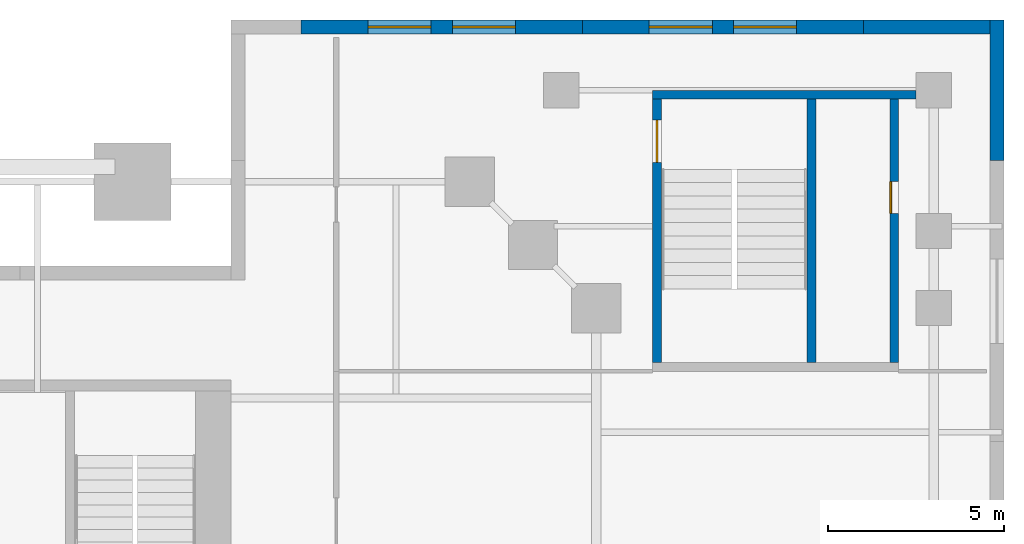
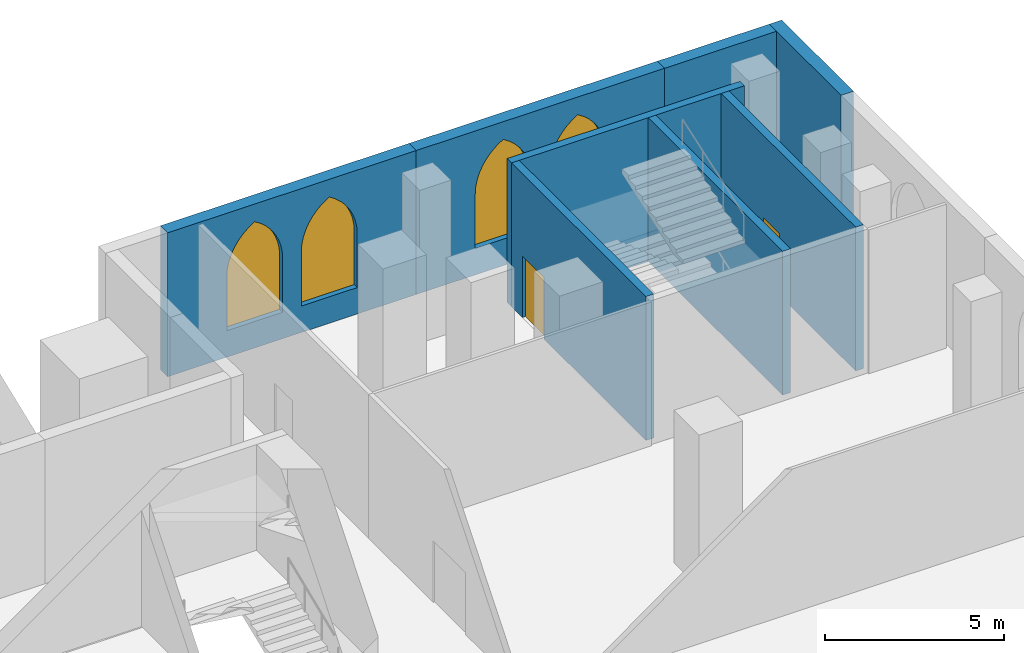
# One storey, part 18 of 22: 8 walls, 4 windows, 2 doors, 6 openings.
"""IFC4 building model written with IfcOpenShell, lengths in metres."""

from ifc_helpers import new_model, si_unit, direction, frame, frame_2d, origin, place, context, subcontext, project, spatial, polyline, rectangle, outline, extrude, material, layer, layer_set, type_object, element, fill, save


model = new_model("IFC4")

# Units and contexts
model_context = context("Model", 3, precision=1e-05, world=origin(), true_north=direction((0.0, 1.0)))
body_context = subcontext(model_context, "Body", "Model", "MODEL_VIEW")
ifc_project = project(units=[si_unit("LENGTHUNIT", "METRE"), si_unit("AREAUNIT", "SQUARE_METRE"), si_unit("VOLUMEUNIT", "CUBIC_METRE"), si_unit("PLANEANGLEUNIT", "RADIAN"), si_unit("MASSUNIT", "GRAM", prefix="KILO")], contexts=[model_context])

# Site, building, storey
site_placement = place(None, origin())
site = spatial("IfcSite", under=ifc_project, at=site_placement, CompositionType="ELEMENT")
building_placement = place(site_placement, origin())
building = spatial("IfcBuilding", under=site, at=building_placement, Name="Ogive Exchange Tower", CompositionType="ELEMENT")
storey_placement = place(building_placement, frame((0.0, 0.0, 14.0)))
storey = spatial("IfcBuildingStorey", under=building, at=storey_placement, Name="L02", CompositionType="ELEMENT", Elevation=14.0)

# Walls
ifc_material_1 = material(Name="Precast concrete C40/50", Category="concrete")
ifc_layer_1 = layer(ifc_material_1, 0.39990234375)
ifc_layer_set_1 = layer_set([ifc_layer_1], Name="Limestone-faced wall 400")
wall_type_1 = type_object("IfcWallType", Name="Limestone-faced wall 400", PredefinedType="STANDARD", material=ifc_layer_set_1)
wall_1_placement = place(storey_placement, frame((43.800048828125, 32.0, 0.0), z_axis=(0.0, 0.0, 1.0), x_axis=(0.0, 1.0, 0.0)))
element("IfcWall", 1, at=wall_1_placement, inside=storey, type_object=wall_type_1, Name="Podium wall E12", PredefinedType="STANDARD", context=body_context, shape_type="SweptSolid", body=[
    extrude(rectangle(XDim=4.0, YDim=0.39990234375, at=frame_2d((2.0, 0.0))), origin(), (0.0, 0.0, 1.0), 4.89990234375),
])
wall_2_placement = place(storey_placement, frame((43.60009765625, 35.800048828125, 0.0), z_axis=(0.0, 0.0, 1.0), x_axis=(-1.0, 0.0, 0.0)))
element("IfcWall", 2, at=wall_2_placement, inside=storey, type_object=wall_type_1, Name="Podium wall N1", PredefinedType="STANDARD", context=body_context, shape_type="SweptSolid", body=[
    extrude(rectangle(XDim=3.60009765625, YDim=0.39990234375, at=frame_2d((1.800048828125, 0.0))), origin(), (0.0, 0.0, 1.0), 4.89990234375),
])

# Wall, openings, windows
wall_3_placement = place(storey_placement, frame((40.0, 35.800048828125, 0.0), z_axis=(0.0, 0.0, 1.0), x_axis=(-1.0, 0.0, 0.0)))
wall_3 = element("IfcWall", 3, at=wall_3_placement, inside=storey, type_object=wall_type_1, Name="Podium wall N2", PredefinedType="STANDARD", context=body_context, shape_type="SweptSolid", body=[
    extrude(rectangle(XDim=8.0, YDim=0.39990234375, at=frame_2d((4.0, 0.0))), origin(), (0.0, 0.0, 1.0), 4.89990234375),
])
opening_1_placement = place(wall_3_placement, frame((1.89990234375, 0.0, 0.89990234375)))
opening_1 = element("IfcOpeningElement", 4, at=opening_1_placement, cuts=wall_3, Name="Opening WQ340", PredefinedType="OPENING", context=body_context, shape_type="SweptSolid", body=[
    extrude(outline(polyline([(0.0, 0.0), (1.800048828125, 0.0), (1.800048828125, 1.841064453125), (1.78466796875, 2.075927734375), (1.73876953125, 2.306884765625), (1.6630859375, 2.52978515625), (1.558837890625, 2.740966796875), (1.427978515625, 2.936767578125), (1.272705078125, 3.11376953125), (1.095703125, 3.26904296875), (0.89990234375, 3.39990234375), (0.704345703125, 3.26904296875), (0.52734375, 3.11376953125), (0.3720703125, 2.936767578125), (0.2412109375, 2.740966796875), (0.136962890625, 2.52978515625), (0.061279296875, 2.306884765625), (0.015380859375, 2.075927734375), (0.0, 1.841064453125), (0.0, 0.0)])), frame((0.0, 0.2099609375, 0.0), z_axis=(0.0, -1.0, 0.0), x_axis=(1.0, 0.0, 0.0)), (0.0, 0.0, 1.0), 0.419921875),
])
opening_2_placement = place(wall_3_placement, frame((4.300048828125, 0.0, 0.89990234375)))
opening_2 = element("IfcOpeningElement", 5, at=opening_2_placement, cuts=wall_3, Name="Opening WQ340", PredefinedType="OPENING", context=body_context, shape_type="SweptSolid", body=[
    extrude(outline(polyline([(0.0, 0.0), (1.800048828125, 0.0), (1.800048828125, 1.841064453125), (1.78466796875, 2.075927734375), (1.73876953125, 2.306884765625), (1.6630859375, 2.52978515625), (1.558837890625, 2.740966796875), (1.427978515625, 2.936767578125), (1.272705078125, 3.11376953125), (1.095703125, 3.26904296875), (0.89990234375, 3.39990234375), (0.704345703125, 3.26904296875), (0.52734375, 3.11376953125), (0.3720703125, 2.936767578125), (0.2412109375, 2.740966796875), (0.136962890625, 2.52978515625), (0.061279296875, 2.306884765625), (0.015380859375, 2.075927734375), (0.0, 1.841064453125), (0.0, 0.0)])), frame((0.0, 0.2099609375, 0.0), z_axis=(0.0, -1.0, 0.0), x_axis=(1.0, 0.0, 0.0)), (0.0, 0.0, 1.0), 0.419921875),
])
ifc_material_2 = material(Name="Clear glass in bronze frame", Category="glass")
window_type = type_object("IfcWindowType", Name="Podium paired lancet 1800 x 3400", PartitioningType="DOUBLE_PANEL_VERTICAL", PredefinedType="WINDOW", material=ifc_material_2)
window_1_placement = place(opening_1_placement, origin())
window_1 = element("IfcWindow", 6, at=window_1_placement, inside=storey, type_object=window_type, Name="Podium paired lancet N2.1", OverallHeight=3.39990234375, OverallWidth=1.800048828125, PartitioningType="DOUBLE_PANEL_VERTICAL", PredefinedType="WINDOW", context=body_context, shape_type="SweptSolid", body=[
    extrude(outline(polyline([(0.0, 0.0), (1.800048828125, 0.0), (1.800048828125, 1.841064453125), (1.78466796875, 2.075927734375), (1.73876953125, 2.306884765625), (1.6630859375, 2.52978515625), (1.558837890625, 2.740966796875), (1.427978515625, 2.936767578125), (1.272705078125, 3.11376953125), (1.095703125, 3.26904296875), (0.89990234375, 3.39990234375), (0.704345703125, 3.26904296875), (0.52734375, 3.11376953125), (0.3720703125, 2.936767578125), (0.2412109375, 2.740966796875), (0.136962890625, 2.52978515625), (0.061279296875, 2.306884765625), (0.015380859375, 2.075927734375), (0.0, 1.841064453125), (0.0, 0.0)])), frame((0.0, 0.030029296875, 0.0), z_axis=(0.0, -1.0, 0.0), x_axis=(1.0, 0.0, 0.0)), (0.0, 0.0, 1.0), 0.06005859375),
])
fill(opening_1, window_1)
window_2_placement = place(opening_2_placement, origin())
window_2 = element("IfcWindow", 7, at=window_2_placement, inside=storey, type_object=window_type, Name="Podium paired lancet N2.2", OverallHeight=3.39990234375, OverallWidth=1.800048828125, PartitioningType="DOUBLE_PANEL_VERTICAL", PredefinedType="WINDOW", context=body_context, shape_type="SweptSolid", body=[
    extrude(outline(polyline([(0.0, 0.0), (1.800048828125, 0.0), (1.800048828125, 1.841064453125), (1.78466796875, 2.075927734375), (1.73876953125, 2.306884765625), (1.6630859375, 2.52978515625), (1.558837890625, 2.740966796875), (1.427978515625, 2.936767578125), (1.272705078125, 3.11376953125), (1.095703125, 3.26904296875), (0.89990234375, 3.39990234375), (0.704345703125, 3.26904296875), (0.52734375, 3.11376953125), (0.3720703125, 2.936767578125), (0.2412109375, 2.740966796875), (0.136962890625, 2.52978515625), (0.061279296875, 2.306884765625), (0.015380859375, 2.075927734375), (0.0, 1.841064453125), (0.0, 0.0)])), frame((0.0, 0.030029296875, 0.0), z_axis=(0.0, -1.0, 0.0), x_axis=(1.0, 0.0, 0.0)), (0.0, 0.0, 1.0), 0.06005859375),
])
fill(opening_2, window_2)

wall_4_placement = place(storey_placement, frame((32.0, 35.800048828125, 0.0), z_axis=(0.0, 0.0, 1.0), x_axis=(-1.0, 0.0, 0.0)))
wall_4 = element("IfcWall", 8, at=wall_4_placement, inside=storey, type_object=wall_type_1, Name="Podium wall N3", PredefinedType="STANDARD", context=body_context, shape_type="SweptSolid", body=[
    extrude(rectangle(XDim=8.0, YDim=0.39990234375, at=frame_2d((4.0, 0.0))), origin(), (0.0, 0.0, 1.0), 4.89990234375),
])
opening_3_placement = place(wall_4_placement, frame((1.89990234375, 0.0, 0.89990234375)))
opening_3 = element("IfcOpeningElement", 9, at=opening_3_placement, cuts=wall_4, Name="Opening WQ340", PredefinedType="OPENING", context=body_context, shape_type="SweptSolid", body=[
    extrude(outline(polyline([(0.0, 0.0), (1.800048828125, 0.0), (1.800048828125, 1.841064453125), (1.78466796875, 2.075927734375), (1.73876953125, 2.306884765625), (1.6630859375, 2.52978515625), (1.558837890625, 2.740966796875), (1.427978515625, 2.936767578125), (1.272705078125, 3.11376953125), (1.095703125, 3.26904296875), (0.89990234375, 3.39990234375), (0.704345703125, 3.26904296875), (0.52734375, 3.11376953125), (0.3720703125, 2.936767578125), (0.2412109375, 2.740966796875), (0.136962890625, 2.52978515625), (0.061279296875, 2.306884765625), (0.015380859375, 2.075927734375), (0.0, 1.841064453125), (0.0, 0.0)])), frame((0.0, 0.2099609375, 0.0), z_axis=(0.0, -1.0, 0.0), x_axis=(1.0, 0.0, 0.0)), (0.0, 0.0, 1.0), 0.419921875),
])
opening_4_placement = place(wall_4_placement, frame((4.300048828125, 0.0, 0.89990234375)))
opening_4 = element("IfcOpeningElement", 10, at=opening_4_placement, cuts=wall_4, Name="Opening WQ340", PredefinedType="OPENING", context=body_context, shape_type="SweptSolid", body=[
    extrude(outline(polyline([(0.0, 0.0), (1.800048828125, 0.0), (1.800048828125, 1.841064453125), (1.78466796875, 2.075927734375), (1.73876953125, 2.306884765625), (1.6630859375, 2.52978515625), (1.558837890625, 2.740966796875), (1.427978515625, 2.936767578125), (1.272705078125, 3.11376953125), (1.095703125, 3.26904296875), (0.89990234375, 3.39990234375), (0.704345703125, 3.26904296875), (0.52734375, 3.11376953125), (0.3720703125, 2.936767578125), (0.2412109375, 2.740966796875), (0.136962890625, 2.52978515625), (0.061279296875, 2.306884765625), (0.015380859375, 2.075927734375), (0.0, 1.841064453125), (0.0, 0.0)])), frame((0.0, 0.2099609375, 0.0), z_axis=(0.0, -1.0, 0.0), x_axis=(1.0, 0.0, 0.0)), (0.0, 0.0, 1.0), 0.419921875),
])
window_3_placement = place(opening_3_placement, origin())
window_3 = element("IfcWindow", 11, at=window_3_placement, inside=storey, type_object=window_type, Name="Podium paired lancet N3.1", OverallHeight=3.39990234375, OverallWidth=1.800048828125, PartitioningType="DOUBLE_PANEL_VERTICAL", PredefinedType="WINDOW", context=body_context, shape_type="SweptSolid", body=[
    extrude(outline(polyline([(0.0, 0.0), (1.800048828125, 0.0), (1.800048828125, 1.841064453125), (1.78466796875, 2.075927734375), (1.73876953125, 2.306884765625), (1.6630859375, 2.52978515625), (1.558837890625, 2.740966796875), (1.427978515625, 2.936767578125), (1.272705078125, 3.11376953125), (1.095703125, 3.26904296875), (0.89990234375, 3.39990234375), (0.704345703125, 3.26904296875), (0.52734375, 3.11376953125), (0.3720703125, 2.936767578125), (0.2412109375, 2.740966796875), (0.136962890625, 2.52978515625), (0.061279296875, 2.306884765625), (0.015380859375, 2.075927734375), (0.0, 1.841064453125), (0.0, 0.0)])), frame((0.0, 0.030029296875, 0.0), z_axis=(0.0, -1.0, 0.0), x_axis=(1.0, 0.0, 0.0)), (0.0, 0.0, 1.0), 0.06005859375),
])
fill(opening_3, window_3)
window_4_placement = place(opening_4_placement, origin())
window_4 = element("IfcWindow", 12, at=window_4_placement, inside=storey, type_object=window_type, Name="Podium paired lancet N3.2", OverallHeight=3.39990234375, OverallWidth=1.800048828125, PartitioningType="DOUBLE_PANEL_VERTICAL", PredefinedType="WINDOW", context=body_context, shape_type="SweptSolid", body=[
    extrude(outline(polyline([(0.0, 0.0), (1.800048828125, 0.0), (1.800048828125, 1.841064453125), (1.78466796875, 2.075927734375), (1.73876953125, 2.306884765625), (1.6630859375, 2.52978515625), (1.558837890625, 2.740966796875), (1.427978515625, 2.936767578125), (1.272705078125, 3.11376953125), (1.095703125, 3.26904296875), (0.89990234375, 3.39990234375), (0.704345703125, 3.26904296875), (0.52734375, 3.11376953125), (0.3720703125, 2.936767578125), (0.2412109375, 2.740966796875), (0.136962890625, 2.52978515625), (0.061279296875, 2.306884765625), (0.015380859375, 2.075927734375), (0.0, 1.841064453125), (0.0, 0.0)])), frame((0.0, 0.030029296875, 0.0), z_axis=(0.0, -1.0, 0.0), x_axis=(1.0, 0.0, 0.0)), (0.0, 0.0, 1.0), 0.06005859375),
])
fill(opening_4, window_4)

# Wall
ifc_material_3 = material(Name="Concrete C70/85", Category="concrete")
ifc_layer_2 = layer(ifc_material_3, 0.25)
ifc_layer_set_2 = layer_set([ifc_layer_2], Name="RC core wall 250 C70/85")
wall_type_2 = type_object("IfcWallType", Name="RC core wall 250 C70/85", PredefinedType="SHEAR", material=ifc_layer_set_2)
wall_5_placement = place(storey_placement, frame((34.0, 33.875, 0.0), z_axis=(0.0, 0.0, 1.0), x_axis=(1.0, 0.0, 0.0)))
element("IfcWall", 13, at=wall_5_placement, inside=storey, type_object=wall_type_2, Name="PS4 north wall", PredefinedType="SHEAR", context=body_context, shape_type="SweptSolid", body=[
    extrude(rectangle(XDim=7.5, YDim=0.25, at=frame_2d((3.75, 0.0))), origin(), (0.0, 0.0, 1.0), 4.89990234375),
])

# Wall, opening, door
wall_6_placement = place(storey_placement, frame((34.125, 26.25, 0.0), z_axis=(0.0, 0.0, 1.0), x_axis=(0.0, 1.0, 0.0)))
wall_6 = element("IfcWall", 14, at=wall_6_placement, inside=storey, type_object=wall_type_2, Name="PS4 west wall", PredefinedType="SHEAR", context=body_context, shape_type="SweptSolid", body=[
    extrude(rectangle(XDim=7.5, YDim=0.25, at=frame_2d((3.75, 0.0))), origin(), (0.0, 0.0, 1.0), 4.89990234375),
])
opening_5_placement = place(wall_6_placement, frame((5.699951171875, 0.0, 0.0)))
opening_5 = element("IfcOpeningElement", 15, at=opening_5_placement, cuts=wall_6, Name="Opening L02-C50", PredefinedType="OPENING", context=body_context, shape_type="SweptSolid", body=[
    extrude(rectangle(XDim=1.199951171875, YDim=2.10009765625, at=frame_2d((0.60009765625, 1.050048828125))), frame((0.0, 0.135009765625, 0.0), z_axis=(0.0, -1.0, 0.0), x_axis=(1.0, 0.0, 0.0)), (0.0, 0.0, 1.0), 0.27001953125),
])
ifc_material_4 = material(Name="Steel fire door", Category="steel")
door_type_1 = type_object("IfcDoorType", Name="Stair door FD90 1200 x 2100", OperationType="NOTDEFINED", PredefinedType="DOOR", material=ifc_material_4)
door_1_placement = place(opening_5_placement, origin())
door_1 = element("IfcDoor", 16, at=door_1_placement, inside=storey, type_object=door_type_1, Name="Stair door", ObjectType="CD5", OperationType="SINGLE_SWING_LEFT", OverallHeight=2.10009765625, OverallWidth=1.199951171875, PredefinedType="DOOR", context=body_context, shape_type="SweptSolid", body=[
    extrude(rectangle(XDim=1.199951171875, YDim=2.10009765625, at=frame_2d((0.60009765625, 1.050048828125))), frame((0.0, 0.02490234375, 0.0), z_axis=(0.0, -1.0, 0.0), x_axis=(1.0, 0.0, 0.0)), (0.0, 0.0, 1.0), 0.050048828125),
])
fill(opening_5, door_1)

wall_7_placement = place(storey_placement, frame((40.875, 26.25, 0.0), z_axis=(0.0, 0.0, 1.0), x_axis=(0.0, 1.0, 0.0)))
wall_7 = element("IfcWall", 17, at=wall_7_placement, inside=storey, type_object=wall_type_2, Name="PS4 east wall", PredefinedType="SHEAR", context=body_context, shape_type="SweptSolid", body=[
    extrude(rectangle(XDim=7.5, YDim=0.25, at=frame_2d((3.75, 0.0))), origin(), (0.0, 0.0, 1.0), 4.89990234375),
])
opening_6_placement = place(wall_7_placement, frame((4.25, 0.0, 0.0)))
opening_6 = element("IfcOpeningElement", 18, at=opening_6_placement, cuts=wall_7, Name="Opening L02-C51", PredefinedType="OPENING", context=body_context, shape_type="SweptSolid", body=[
    extrude(rectangle(XDim=0.89990234375, YDim=2.10009765625, at=frame_2d((0.449951171875, 1.050048828125))), frame((0.0, 0.135009765625, 0.0), z_axis=(0.0, -1.0, 0.0), x_axis=(1.0, 0.0, 0.0)), (0.0, 0.0, 1.0), 0.27001953125),
])
door_type_2 = type_object("IfcDoorType", Name="Riser door FD60 900 x 2100", OperationType="NOTDEFINED", PredefinedType="DOOR", material=ifc_material_4)
door_2_placement = place(opening_6_placement, frame((0.89990234375, 0.2001953125, 0.0), z_axis=(0.0, 0.0, 1.0), x_axis=(-1.0, 0.0, 0.0)))
door_2 = element("IfcDoor", 19, at=door_2_placement, inside=storey, type_object=door_type_2, Name="Riser door", ObjectType="CD2", OperationType="SINGLE_SWING_RIGHT", OverallHeight=2.10009765625, OverallWidth=0.89990234375, PredefinedType="DOOR", context=body_context, shape_type="SweptSolid", body=[
    extrude(rectangle(XDim=0.89990234375, YDim=2.10009765625, at=frame_2d((0.449951171875, 1.050048828125))), frame((0.0, 0.125, 0.0), z_axis=(0.0, -1.0, 0.0), x_axis=(1.0, 0.0, 0.0)), (0.0, 0.0, 1.0), 0.050048828125),
])
fill(opening_6, door_2)

# Wall
wall_8_placement = place(storey_placement, frame((38.52490234375, 26.25, 0.0), z_axis=(0.0, 0.0, 1.0), x_axis=(0.0, 1.0, 0.0)))
element("IfcWall", 20, at=wall_8_placement, inside=storey, type_object=wall_type_2, Name="PS4 partition wall", PredefinedType="SHEAR", context=body_context, shape_type="SweptSolid", body=[
    extrude(rectangle(XDim=7.5, YDim=0.25, at=frame_2d((3.75, 0.0))), origin(), (0.0, 0.0, 1.0), 4.89990234375),
])

save(model, "model.ifc")
